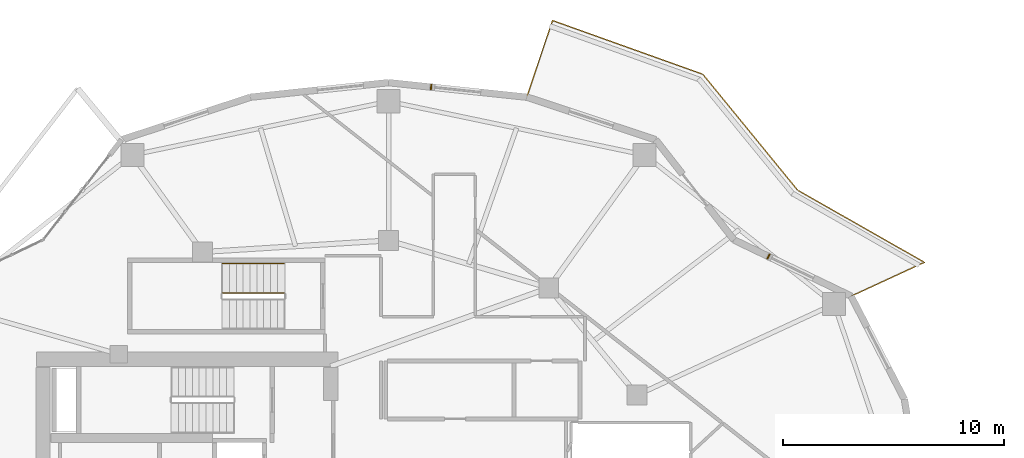
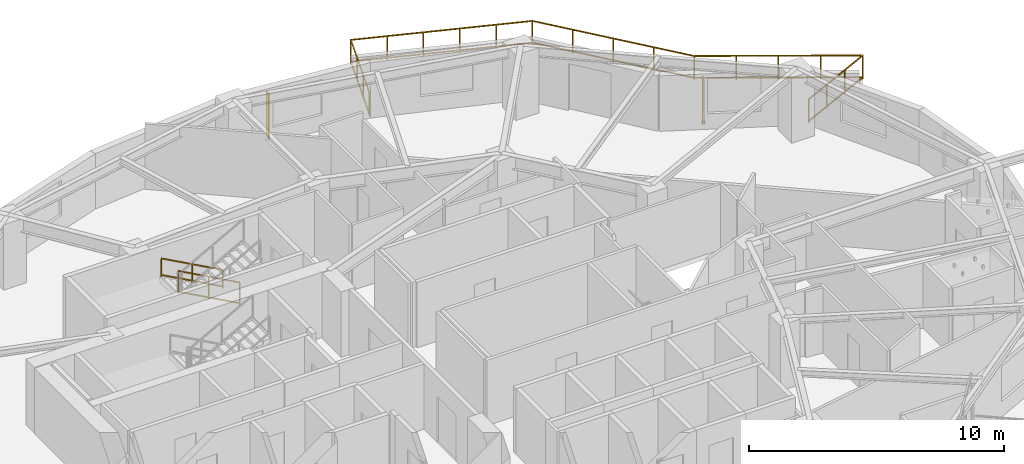
# One storey, part 18 of 18: 3 railings, 2 shading devices.
"""IFC4 building model written with IfcOpenShell, lengths in metres."""

import ifcopenshell
import ifcopenshell.guid

model = None  # the IFC model being written
_history = None  # IfcOwnerHistory: only IFC2X3 demands one
_inside = {}  # id of a spatial element -> (the spatial element, [elements in it])
_under = {}  # id of a project, library or spatial element -> (it, [spatial elements below it])
_declared = {}  # id of a project -> (the project, [libraries it declares])
_typed = {}  # id of a type object -> (the type object, [elements of that type])
_made_of = {}  # id of a material, layer set ... -> (it, [elements and type objects made of it])


def new_model(schema):
    """Start an empty IFC model of exactly this schema.

    Asked for "IFC4X3", IfcOpenShell would pick the latest addendum, in which some entities
    have other attributes; the version numbers below select the first issue.
    IFC2X3 requires an IfcOwnerHistory on every rooted entity: one is made here for all.
    """
    global model, _history
    if schema == "IFC4X3":
        model = ifcopenshell.file(schema_version=(4, 3, 0, 0))
    else:
        model = ifcopenshell.file(schema=schema)
    _inside.clear()
    _under.clear()
    _declared.clear()
    _typed.clear()
    _made_of.clear()
    _history = None
    if model.schema == "IFC2X3":
        org = make("IfcOrganization", Name="unknown")
        user = make(
            "IfcPersonAndOrganization",
            ThePerson=make("IfcPerson", FamilyName="unknown"),
            TheOrganization=org,
        )
        app = make(
            "IfcApplication",
            ApplicationDeveloper=org,
            Version="unknown",
            ApplicationFullName="unknown",
            ApplicationIdentifier="unknown",
        )
        _history = make(
            "IfcOwnerHistory",
            OwningUser=user,
            OwningApplication=app,
            ChangeAction="ADDED",
            CreationDate=0,
        )
    return model


def make(cls, **values):
    """One entity of the class cls with the attributes given. An attribute that is None is left unset."""
    return model.create_entity(
        cls, **{name: value for name, value in values.items() if value is not None}
    )


def rooted(cls, **values):
    """An entity with a GlobalId (a new one), such as an element, a storey or a relation."""
    return make(cls, GlobalId=ifcopenshell.guid.new(), OwnerHistory=_history, **values)


def si_unit(unit_type, name, prefix=None):
    """IfcSIUnit, for example si_unit("LENGTHUNIT", "METRE", prefix="MILLI")."""
    return make("IfcSIUnit", UnitType=unit_type, Prefix=prefix, Name=name)


def assignment(units):
    """IfcUnitAssignment: the units of a project."""
    return None if units is None else make("IfcUnitAssignment", Units=units)


def point(xyz):
    """IfcCartesianPoint."""
    return None if xyz is None else make("IfcCartesianPoint", Coordinates=xyz)


def direction(xyz):
    """IfcDirection."""
    return None if xyz is None else make("IfcDirection", DirectionRatios=xyz)


def frame(location, z_axis=None, x_axis=None):
    """IfcAxis2Placement3D, a coordinate frame: its origin and axes. An axis left out is left unset."""
    return make(
        "IfcAxis2Placement3D",
        Location=point(location),
        Axis=direction(z_axis),
        RefDirection=direction(x_axis),
    )


def frame_2d(location, x_axis=None):
    """IfcAxis2Placement2D, a coordinate frame in the plane: its origin and x axis."""
    return make(
        "IfcAxis2Placement2D", Location=point(location), RefDirection=direction(x_axis)
    )


def origin():
    """The frame at (0, 0, 0) with its axes left unset."""
    return frame((0.0, 0.0, 0.0))


def origin_2d():
    """The frame at (0, 0) in the plane with its x axis left unset."""
    return frame_2d((0.0, 0.0))


def place(relative_to, where):
    """IfcLocalPlacement: puts the frame where relative to a parent placement (None: the world)."""
    return make(
        "IfcLocalPlacement", PlacementRelTo=relative_to, RelativePlacement=where
    )


def context(
    kind, dimensions, precision=None, world=None, true_north=None, identifier=None
):
    """IfcGeometricRepresentationContext, for example the 3D "Model" context."""
    return make(
        "IfcGeometricRepresentationContext",
        ContextIdentifier=identifier,
        ContextType=kind,
        CoordinateSpaceDimension=dimensions,
        Precision=precision,
        WorldCoordinateSystem=world,
        TrueNorth=true_north,
    )


def subcontext(parent, identifier, kind, view, scale=None):
    """IfcGeometricRepresentationSubContext, for example "Body" below "Model"."""
    return make(
        "IfcGeometricRepresentationSubContext",
        ContextIdentifier=identifier,
        ContextType=kind,
        ParentContext=parent,
        TargetScale=scale,
        TargetView=view,
    )


def project(units=None, contexts=None):
    """IfcProject with its units and contexts."""
    return rooted(
        "IfcProject",
        Name="project",
        RepresentationContexts=contexts,
        UnitsInContext=assignment(units),
    )


def spatial(cls, under=None, at=None, **own):
    """A site, building, storey or space (cls), placed at a placement, below another one or the project."""
    s = rooted(cls, ObjectPlacement=at, **own)
    if under is not None:
        _under.setdefault(under.id(), (under, []))[1].append(s)
    return s


def profile(cls, at=None, kind="AREA", **sizes):
    """A parametric profile (cls). Its sizes go by their IFC names, for example OverallWidth=200.0."""
    return make(cls, ProfileType=kind, Position=at, **sizes)


def rectangle(**sizes):
    """IfcRectangleProfileDef."""
    return profile("IfcRectangleProfileDef", **sizes)


def extrude(swept, where, along, depth):
    """IfcExtrudedAreaSolid: the profile swept, set in the frame where, extruded along a direction by depth."""
    return make(
        "IfcExtrudedAreaSolid",
        SweptArea=swept,
        Position=where,
        ExtrudedDirection=direction(along),
        Depth=depth,
    )


def shape(context_of_items, identifier, shape_type, items):
    """IfcShapeRepresentation: the items that make up one representation, for example the "Body"."""
    return make(
        "IfcShapeRepresentation",
        ContextOfItems=context_of_items,
        RepresentationIdentifier=identifier,
        RepresentationType=shape_type,
        Items=items,
    )


def material(Name=None, Category=None):
    """IfcMaterial."""
    return make("IfcMaterial", Name=Name, Category=Category)


def made_of(thing, what):
    """Note that an element or type object is made of a material, layer set ...; save() writes the relation."""
    if what is not None:
        _made_of.setdefault(what.id(), (what, []))[1].append(thing)
    return thing


def type_object(cls, material=None, **own):
    """A type object (cls), such as IfcWallType, which elements share."""
    return made_of(rooted(cls, **own), material)


def element(
    cls,
    number,
    at=None,
    inside=None,
    cuts=None,
    type_object=None,
    material=None,
    context=None,
    identifier="Body",
    shape_type=None,
    held_by="IfcProductDefinitionShape",
    body=None,
    shapes=None,
    **own,
):
    """One element of the class cls, such as IfcWall. Its Tag is "e" and its number.

    at: its placement. inside: the storey or other place that contains it. cuts: it is an
    opening in that element (IfcRelVoidsElement). A single representation is given by context,
    identifier, shape_type and body (its items); several are given by shapes. held_by: the class
    of the entity that holds the representations. save() writes the other relations.
    """
    e = rooted(cls, Tag="e%d" % number, ObjectPlacement=at, **own)
    if body is not None:
        shapes = [shape(context, identifier, shape_type, body)]
    if shapes is not None:
        e.Representation = make(held_by, Representations=shapes)
    if inside is not None:
        _inside.setdefault(inside.id(), (inside, []))[1].append(e)
    if cuts is not None:
        rooted(
            "IfcRelVoidsElement", RelatingBuildingElement=cuts, RelatedOpeningElement=e
        )
    if type_object is not None:
        _typed.setdefault(type_object.id(), (type_object, []))[1].append(e)
    return made_of(e, material)


def aggregate(whole, parts):
    """IfcRelAggregates: a whole, such as a stair, and the parts it consists of."""
    return rooted("IfcRelAggregates", RelatingObject=whole, RelatedObjects=parts)


def save(model, path):
    """Write the relations noted so far, then the file.

    IfcRelAggregates (storeys below a building ...), IfcRelContainedInSpatialStructure (elements
    in a storey), IfcRelDefinesByType, IfcRelAssociatesMaterial and IfcRelDeclares: one each for
    every whole, place, type object, material and project.
    """
    for whole, parts in _under.values():
        aggregate(whole, parts)
    for where, things in _inside.values():
        rooted(
            "IfcRelContainedInSpatialStructure",
            RelatedElements=things,
            RelatingStructure=where,
        )
    for kind, things in _typed.values():
        rooted("IfcRelDefinesByType", RelatedObjects=things, RelatingType=kind)
    for what, things in _made_of.values():
        rooted("IfcRelAssociatesMaterial", RelatedObjects=things, RelatingMaterial=what)
    for by, libraries in _declared.values():
        rooted("IfcRelDeclares", RelatingContext=by, RelatedDefinitions=libraries)
    model.write(path)


model = new_model("IFC4")

# Units and contexts
model_context = context("Model", 3, precision=1e-05, world=origin(), true_north=direction((0.0, 1.0)))
body_context = subcontext(model_context, "Body", "Model", "MODEL_VIEW")
ifc_project = project(units=[si_unit("LENGTHUNIT", "METRE"), si_unit("AREAUNIT", "SQUARE_METRE"), si_unit("VOLUMEUNIT", "CUBIC_METRE"), si_unit("PLANEANGLEUNIT", "RADIAN"), si_unit("MASSUNIT", "GRAM", prefix="KILO")], contexts=[model_context])

# Site, building, storey
site_placement = place(None, origin())
site = spatial("IfcSite", under=ifc_project, at=site_placement, CompositionType="ELEMENT")
building_placement = place(site_placement, origin())
building = spatial("IfcBuilding", under=site, at=building_placement, Name="Kolvaren Gate Tower and Convention Centre", CompositionType="ELEMENT")
storey_placement = place(building_placement, frame((0.0, 0.0, 115.5)))
storey = spatial("IfcBuildingStorey", under=building, at=storey_placement, Name="L28", CompositionType="ELEMENT", Elevation=115.5)

# Railings
ifc_material_1 = material(Name="Brushed Stainless Steel Grade 316L", Category="steel")
railing_type_1 = type_object("IfcRailingType", Name="ARCH-RL-GUARD-1150", PredefinedType="GUARDRAIL", material=ifc_material_1)
railing_1_placement = place(storey_placement, frame((25.39990234375, 36.830078125, 0.169921875)))
element("IfcRailing", 1, at=railing_1_placement, inside=storey, type_object=railing_type_1, Name="L28 ST-T3 stair guard 1", PredefinedType="GUARDRAIL", context=body_context, shape_type="SweptSolid", body=[
    extrude(rectangle(XDim=0.048095703125, YDim=0.048095703125, at=origin_2d()), frame((0.0, 0.0, 1.076171875), z_axis=(-0.8767936245, 0.0, 0.480866863109), x_axis=(0.0, -1.0, 0.0)), (0.0, 0.0, 1.0), 3.181884765625),
    extrude(rectangle(XDim=0.048095703125, YDim=0.048095703125, at=origin_2d()), frame((0.0, 0.0, 0.083984375), z_axis=(-0.8767936245, 0.0, 0.480866863109), x_axis=(0.0, -1.0, 0.0)), (0.0, 0.0, 1.0), 3.181884765625),
    extrude(rectangle(XDim=0.0419921875, YDim=0.0419921875, at=origin_2d()), origin(), (0.0, 0.0, 1.0), 1.050048828125),
    extrude(rectangle(XDim=0.0419921875, YDim=0.0419921875, at=origin_2d()), frame((-2.789794921875, 0.0, 1.530029296875)), (0.0, 0.0, 1.0), 1.050048828125),
    extrude(rectangle(XDim=0.0419921875, YDim=0.0419921875, at=origin_2d()), frame((-1.39501953125, 0.0, 0.76513671875)), (0.0, 0.0, 1.0), 1.050048828125),
])
railing_2_placement = place(storey_placement, frame((51.072021484375, 36.675048828125, 0.0)))
element("IfcRailing", 2, at=railing_2_placement, inside=storey, type_object=railing_type_1, Name="Tower L28 Terrace Perimeter Guardrail GR-1", PredefinedType="GUARDRAIL", context=body_context, shape_type="SweptSolid", body=[
    extrude(rectangle(XDim=0.048095703125, YDim=0.048095703125, at=origin_2d()), frame((0.025390625, 0.01171875, 1.1259765625), z_axis=(0.907846116663, 0.419303503993, 0.0), x_axis=(-0.419303503993, 0.907846116663, 0.0)), (0.0, 0.0, 1.0), 3.60400390625),
    extrude(rectangle(XDim=0.048095703125, YDim=0.048095703125, at=origin_2d()), frame((0.025390625, 0.01171875, 0.083984375), z_axis=(0.907846116663, 0.419303503993, 0.0), x_axis=(-0.419303503993, 0.907846116663, 0.0)), (0.0, 0.0, 1.0), 3.60400390625),
    extrude(rectangle(XDim=0.048095703125, YDim=0.048095703125, at=origin_2d()), frame((3.29833984375, 1.548583984375, 1.1259765625), z_axis=(-0.869196694318, 0.494466486819, 0.0), x_axis=(-0.494466486819, -0.869196694318, 0.0)), (0.0, 0.0, 1.0), 6.55029296875),
    extrude(rectangle(XDim=0.048095703125, YDim=0.048095703125, at=origin_2d()), frame((3.29833984375, 1.548583984375, 0.083984375), z_axis=(-0.869196694318, 0.494466486819, 0.0), x_axis=(-0.494466486819, -0.869196694318, 0.0)), (0.0, 0.0, 1.0), 6.55029296875),
    extrude(rectangle(XDim=0.048095703125, YDim=0.048095703125, at=origin_2d()), frame((-2.437255859375, 4.822998046875, 1.1259765625), z_axis=(-0.633002467947, 0.77414977593, 0.0), x_axis=(-0.77414977593, -0.633002467947, 0.0)), (0.0, 0.0, 1.0), 6.724365234375),
    extrude(rectangle(XDim=0.048095703125, YDim=0.048095703125, at=origin_2d()), frame((-2.437255859375, 4.822998046875, 0.083984375), z_axis=(-0.633002467947, 0.77414977593, 0.0), x_axis=(-0.77414977593, -0.633002467947, 0.0)), (0.0, 0.0, 1.0), 6.724365234375),
    extrude(rectangle(XDim=0.048095703125, YDim=0.048095703125, at=origin_2d()), frame((-6.73779296875, 10.059814453125, 1.1259765625), z_axis=(-0.941628873241, 0.336652736627, 0.0), x_axis=(-0.336652736627, -0.941628873241, 0.0)), (0.0, 0.0, 1.0), 7.17919921875),
    extrude(rectangle(XDim=0.048095703125, YDim=0.048095703125, at=origin_2d()), frame((-6.73779296875, 10.059814453125, 0.083984375), z_axis=(-0.941628873241, 0.336652736627, 0.0), x_axis=(-0.336652736627, -0.941628873241, 0.0)), (0.0, 0.0, 1.0), 7.17919921875),
    extrude(rectangle(XDim=0.048095703125, YDim=0.048095703125, at=origin_2d()), frame((-13.533203125, 12.45947265625, 1.1259765625), z_axis=(-0.317588247294, -0.948228719867, 0.0), x_axis=(0.948228719867, -0.317588247294, 0.0)), (0.0, 0.0, 1.0), 3.603759765625),
    extrude(rectangle(XDim=0.048095703125, YDim=0.048095703125, at=origin_2d()), frame((-13.533203125, 12.45947265625, 0.083984375), z_axis=(-0.317588247294, -0.948228719867, 0.0), x_axis=(0.948228719867, -0.317588247294, 0.0)), (0.0, 0.0, 1.0), 3.603759765625),
    extrude(rectangle(XDim=0.0419921875, YDim=0.0419921875, at=origin_2d()), origin(), (0.0, 0.0, 1.0), 1.14990234375),
    extrude(rectangle(XDim=0.0419921875, YDim=0.0419921875, at=origin_2d()), frame((3.32275390625, 1.53466796875, 0.0)), (0.0, 0.0, 1.0), 1.14990234375),
    extrude(rectangle(XDim=0.0419921875, YDim=0.0419921875, at=origin_2d()), frame((1.107666015625, 0.511474609375, 0.0)), (0.0, 0.0, 1.0), 1.099853515625),
    extrude(rectangle(XDim=0.0419921875, YDim=0.0419921875, at=origin_2d()), frame((2.215087890625, 1.023193359375, 0.0)), (0.0, 0.0, 1.0), 1.099853515625),
    extrude(rectangle(XDim=0.0419921875, YDim=0.0419921875, at=origin_2d()), frame((-2.41943359375, 4.80126953125, 0.0)), (0.0, 0.0, 1.0), 1.14990234375),
    extrude(rectangle(XDim=0.0419921875, YDim=0.0419921875, at=origin_2d()), frame((1.88720703125, 2.351318359375, 0.0)), (0.0, 0.0, 1.0), 1.099853515625),
    extrude(rectangle(XDim=0.0419921875, YDim=0.0419921875, at=origin_2d()), frame((0.45166015625, 3.16796875, 0.0)), (0.0, 0.0, 1.0), 1.099853515625),
    extrude(rectangle(XDim=0.0419921875, YDim=0.0419921875, at=origin_2d()), frame((-0.98388671875, 3.984619140625, 0.0)), (0.0, 0.0, 1.0), 1.099853515625),
    extrude(rectangle(XDim=0.0419921875, YDim=0.0419921875, at=origin_2d()), frame((-6.71142578125, 10.05029296875, 0.0)), (0.0, 0.0, 1.0), 1.14990234375),
    extrude(rectangle(XDim=0.0419921875, YDim=0.0419921875, at=origin_2d()), frame((-3.492431640625, 6.113525390625, 0.0)), (0.0, 0.0, 1.0), 1.099853515625),
    extrude(rectangle(XDim=0.0419921875, YDim=0.0419921875, at=origin_2d()), frame((-4.5654296875, 7.42578125, 0.0)), (0.0, 0.0, 1.0), 1.099853515625),
    extrude(rectangle(XDim=0.0419921875, YDim=0.0419921875, at=origin_2d()), frame((-5.638427734375, 8.738037109375, 0.0)), (0.0, 0.0, 1.0), 1.099853515625),
    extrude(rectangle(XDim=0.0419921875, YDim=0.0419921875, at=origin_2d()), frame((-13.5244140625, 12.486083984375, 0.0)), (0.0, 0.0, 1.0), 1.14990234375),
    extrude(rectangle(XDim=0.0419921875, YDim=0.0419921875, at=origin_2d()), frame((-8.073974609375, 10.537353515625, 0.0)), (0.0, 0.0, 1.0), 1.099853515625),
    extrude(rectangle(XDim=0.0419921875, YDim=0.0419921875, at=origin_2d()), frame((-9.4365234375, 11.024658203125, 0.0)), (0.0, 0.0, 1.0), 1.099853515625),
    extrude(rectangle(XDim=0.0419921875, YDim=0.0419921875, at=origin_2d()), frame((-10.79931640625, 11.51171875, 0.0)), (0.0, 0.0, 1.0), 1.099853515625),
    extrude(rectangle(XDim=0.0419921875, YDim=0.0419921875, at=origin_2d()), frame((-12.161865234375, 11.9990234375, 0.0)), (0.0, 0.0, 1.0), 1.099853515625),
    extrude(rectangle(XDim=0.0419921875, YDim=0.0419921875, at=origin_2d()), frame((-14.686767578125, 9.015625, 0.0)), (0.0, 0.0, 1.0), 1.14990234375),
    extrude(rectangle(XDim=0.0419921875, YDim=0.0419921875, at=origin_2d()), frame((-13.911865234375, 11.329345703125, 0.0)), (0.0, 0.0, 1.0), 1.099853515625),
    extrude(rectangle(XDim=0.0419921875, YDim=0.0419921875, at=origin_2d()), frame((-14.29931640625, 10.17236328125, 0.0)), (0.0, 0.0, 1.0), 1.099853515625),
])
railing_type_2 = type_object("IfcRailingType", Name="ARCH-RL-HANDRAIL-920", PredefinedType="HANDRAIL", material=ifc_material_1)
railing_3_placement = place(storey_placement, frame((25.39990234375, 38.14990234375, 0.169921875)))
element("IfcRailing", 3, at=railing_3_placement, inside=storey, type_object=railing_type_2, Name="L28 ST-T3 stair handrail 1", PredefinedType="HANDRAIL", context=body_context, shape_type="SweptSolid", body=[
    extrude(rectangle(XDim=0.048095703125, YDim=0.048095703125, at=origin_2d()), frame((0.0, 0.0, 0.8759765625), z_axis=(-0.8767936245, 0.0, 0.480866863109), x_axis=(0.0, -1.0, 0.0)), (0.0, 0.0, 1.0), 3.181884765625),
    extrude(rectangle(XDim=0.048095703125, YDim=0.048095703125, at=origin_2d()), frame((0.0, 0.0, 0.083984375), z_axis=(-0.8767936245, 0.0, 0.480866863109), x_axis=(0.0, -1.0, 0.0)), (0.0, 0.0, 1.0), 3.181884765625),
    extrude(rectangle(XDim=0.0419921875, YDim=0.0419921875, at=origin_2d()), origin(), (0.0, 0.0, 1.0), 0.849853515625),
    extrude(rectangle(XDim=0.0419921875, YDim=0.0419921875, at=origin_2d()), frame((-2.789794921875, 0.0, 1.530029296875)), (0.0, 0.0, 1.0), 0.849853515625),
    extrude(rectangle(XDim=0.0419921875, YDim=0.0419921875, at=origin_2d()), frame((-1.39501953125, 0.0, 0.76513671875)), (0.0, 0.0, 1.0), 0.849853515625),
])

# Shading devices
ifc_material_2 = material(Name="Kiln-Fired Bogota Terracotta Ceramic Louvre Profile", Category="masonry")
shading_device_type = type_object("IfcShadingDeviceType", Name="ARCH-SHD-FIN-180", PredefinedType="JALOUSIE", material=ifc_material_2)
for number, where, z_axis, x_axis, name in (
    (4, (47.329833984375, 38.472900390625, 0.219970703125), (0.0, 0.0, 1.0), (0.901362925045, -0.433064518696, 0.0), "Ceramic Vertical Brise-Soleil Fin FN-L28-02"),
    (5, (32.05126953125, 46.147216796875, 0.219970703125), (0.0, 0.0, 1.0), (0.994499981166, -0.104736753152, 0.0), "Ceramic Vertical Brise-Soleil Fin FN-L28-05"),
):
    element("IfcShadingDevice", number, at=place(storey_placement, frame(where, z_axis=z_axis, x_axis=x_axis)), inside=storey, type_object=shading_device_type, Name=name, PredefinedType="JALOUSIE", context=body_context, shape_type="SweptSolid", body=[
        extrude(rectangle(XDim=0.06005859375, YDim=0.239990234375, at=origin_2d()), origin(), (0.0, 0.0, 1.0), 2.14990234375),
    ])

save(model, "model.ifc")
